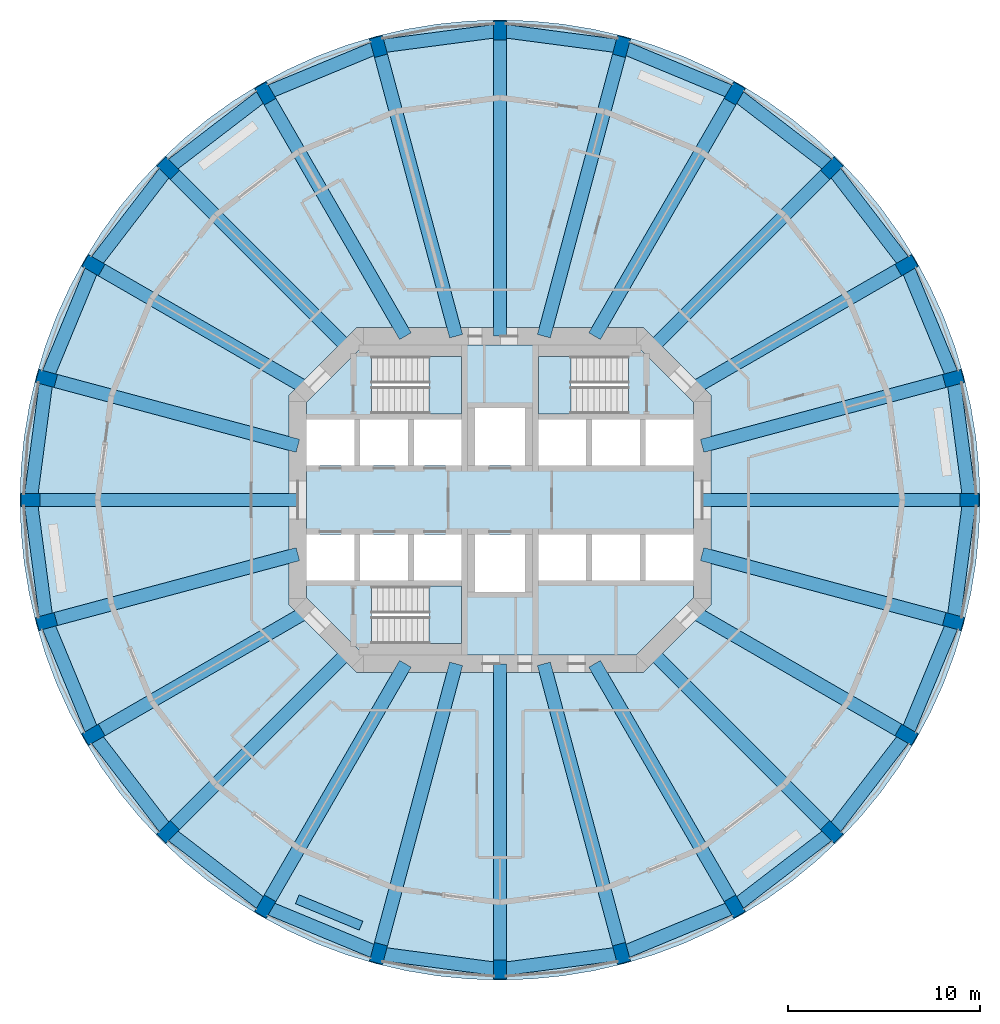
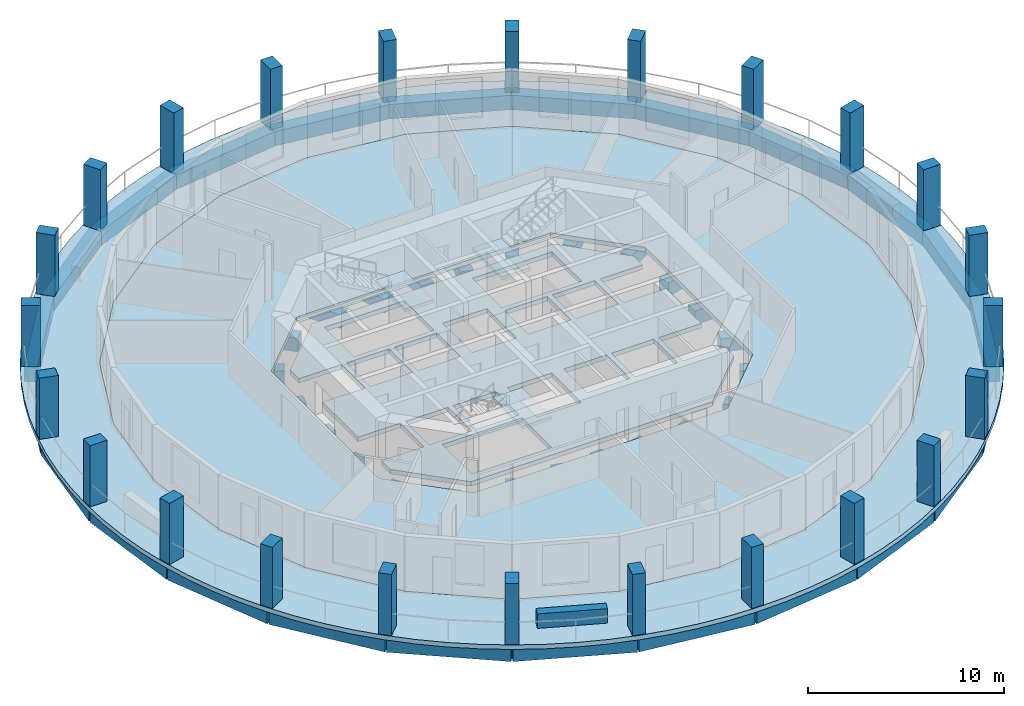
# One storey, part 1 of 8: 48 beams, 24 columns, 6 slabs, 1 wall, 3 elements without a shape of their own.
"""IFC4 building model written with IfcOpenShell, lengths in metres."""

from ifc_helpers import new_model, si_unit, direction, frame, frame_2d, origin, origin_2d, place, context, subcontext, project, spatial, polyline, rectangle, outline, extrude, material, layer, layer_set, material_profile, profile_set, type_object, element, aggregate, save


model = new_model("IFC4")

# Units and contexts
model_context = context("Model", 3, precision=1e-05, world=origin(), true_north=direction((0.0, 1.0)))
body_context = subcontext(model_context, "Body", "Model", "MODEL_VIEW")
ifc_project = project(units=[si_unit("LENGTHUNIT", "METRE"), si_unit("AREAUNIT", "SQUARE_METRE"), si_unit("VOLUMEUNIT", "CUBIC_METRE"), si_unit("PLANEANGLEUNIT", "RADIAN"), si_unit("MASSUNIT", "GRAM", prefix="KILO")], contexts=[model_context])

# Site, building, storey
site_placement = place(None, origin())
site = spatial("IfcSite", under=ifc_project, at=site_placement, CompositionType="ELEMENT")
building_placement = place(site_placement, origin())
building = spatial("IfcBuilding", under=site, at=building_placement, Name="Torre Triforio", CompositionType="ELEMENT")
storey_placement = place(building_placement, frame((0.0, 0.0, 131.39990234375)))
storey = spatial("IfcBuildingStorey", under=building, at=storey_placement, Name="L29", CompositionType="ELEMENT", Elevation=131.39990234375)

# Columns
ifc_material_1 = material(Name="Concrete C60", Category="concrete")
ifc_material_profile_1 = material_profile(ifc_material_1, rectangle(XDim=0.699951171875, YDim=1.0, at=origin_2d()), Name="RC 700x1000")
ifc_profile_set_1 = profile_set([ifc_material_profile_1], Name="Concrete C60")
column_type = type_object("IfcColumnType", Name="Pier RC 700x1000 C60", PredefinedType="COLUMN", material=ifc_profile_set_1)
for number, where, z_axis, x_axis, name in (
    (1, (24.5, 0.0, 0.0), (0.0, 0.0, 1.0), (0.0, 1.0, 0.0), "COL.R.L29.00"),
    (2, (23.665283203125, 6.341064453125, 0.0), (0.0, 0.0, 1.0), (-0.258819045103, 0.965925826289, 0.0), "COL.R.L29.01"),
    (3, (21.217529296875, 12.25, 0.0), (0.0, 0.0, 1.0), (-0.5, 0.866025403784, 0.0), "COL.R.L29.02"),
    (4, (17.32421875, 17.32421875, 0.0), (0.0, 0.0, 1.0), (-0.707106781187, 0.707106781187, 0.0), "COL.R.L29.03"),
    (5, (12.25, 21.217529296875, 0.0), (0.0, 0.0, 1.0), (-0.866025403784, 0.5, 0.0), "COL.R.L29.04"),
    (6, (6.341064453125, 23.665283203125, 0.0), (0.0, 0.0, 1.0), (-0.965925826289, 0.258819045103, 0.0), "COL.R.L29.05"),
    (7, (0.0, 24.5, 0.0), (0.0, 0.0, 1.0), (-1.0, 0.0, 0.0), "COL.R.L29.06"),
    (8, (-6.341064453125, 23.665283203125, 0.0), (0.0, 0.0, 1.0), (-0.965925826289, -0.258819045103, 0.0), "COL.R.L29.07"),
    (9, (-12.25, 21.217529296875, 0.0), (0.0, 0.0, 1.0), (-0.866025403784, -0.5, 0.0), "COL.R.L29.08"),
    (10, (-17.32421875, 17.32421875, 0.0), (0.0, 0.0, 1.0), (-0.707106781187, -0.707106781187, 0.0), "COL.R.L29.09"),
    (11, (-21.217529296875, 12.25, 0.0), (0.0, 0.0, 1.0), (-0.5, -0.866025403784, 0.0), "COL.R.L29.10"),
    (12, (-23.665283203125, 6.341064453125, 0.0), (0.0, 0.0, 1.0), (-0.258819045103, -0.965925826289, 0.0), "COL.R.L29.11"),
    (13, (-24.5, 0.0, 0.0), (0.0, 0.0, 1.0), (0.0, -1.0, 0.0), "COL.R.L29.12"),
    (14, (-23.665283203125, -6.341064453125, 0.0), (0.0, 0.0, 1.0), (0.258819045103, -0.965925826289, 0.0), "COL.R.L29.13"),
    (15, (-21.217529296875, -12.25, 0.0), (0.0, 0.0, 1.0), (0.5, -0.866025403784, 0.0), "COL.R.L29.14"),
    (16, (-17.32421875, -17.32421875, 0.0), (0.0, 0.0, 1.0), (0.707106781187, -0.707106781187, 0.0), "COL.R.L29.15"),
    (17, (-12.25, -21.217529296875, 0.0), (0.0, 0.0, 1.0), (0.866025403784, -0.5, 0.0), "COL.R.L29.16"),
    (18, (-6.341064453125, -23.665283203125, 0.0), (0.0, 0.0, 1.0), (0.965925826289, -0.258819045103, 0.0), "COL.R.L29.17"),
    (19, (0.0, -24.5, 0.0), (0.0, 0.0, 1.0), (1.0, 0.0, 0.0), "COL.R.L29.18"),
    (20, (6.341064453125, -23.665283203125, 0.0), (0.0, 0.0, 1.0), (0.965925826289, 0.258819045103, 0.0), "COL.R.L29.19"),
    (21, (12.25, -21.217529296875, 0.0), (0.0, 0.0, 1.0), (0.866025403784, 0.5, 0.0), "COL.R.L29.20"),
    (22, (17.32421875, -17.32421875, 0.0), (0.0, 0.0, 1.0), (0.707106781187, 0.707106781187, 0.0), "COL.R.L29.21"),
    (23, (21.217529296875, -12.25, 0.0), (0.0, 0.0, 1.0), (0.5, 0.866025403784, 0.0), "COL.R.L29.22"),
    (24, (23.665283203125, -6.341064453125, 0.0), (0.0, 0.0, 1.0), (0.258819045103, 0.965925826289, 0.0), "COL.R.L29.23"),
):
    element("IfcColumn", number, at=place(storey_placement, frame(where, z_axis=z_axis, x_axis=x_axis)), inside=storey, type_object=column_type, Name=name, PredefinedType="COLUMN", context=body_context, shape_type="SweptSolid", body=[
        extrude(rectangle(XDim=0.699951171875, YDim=1.0, at=origin_2d()), origin(), (0.0, 0.0, 1.0), 3.800048828125),
    ])

# Beams
ifc_material_2 = material(Name="Concrete C50", Category="concrete")
ifc_material_profile_2 = material_profile(ifc_material_2, rectangle(XDim=0.699951171875, YDim=0.85009765625, at=origin_2d()), Name="RC 700x850")
ifc_profile_set_2 = profile_set([ifc_material_profile_2], Name="Concrete C50")
beam_type_1 = type_object("IfcBeamType", Name="Radial beam RC 700x850 C50", PredefinedType="BEAM", material=ifc_profile_set_2)
beam_1_placement = place(storey_placement, frame((10.550048828125, 0.0, -0.704833984375), z_axis=(1.0, 0.0, 0.0), x_axis=(0.0, 1.0, 0.0)))
element("IfcBeam", 25, at=beam_1_placement, inside=storey, type_object=beam_type_1, Name="BM.R.L29.00", PredefinedType="BEAM", context=body_context, shape_type="SweptSolid", body=[
    extrude(rectangle(XDim=0.699951171875, YDim=0.85009765625, at=origin_2d()), origin(), (0.0, 0.0, 1.0), 13.949951171875),
])
beam_2_placement = place(storey_placement, frame((10.550048828125, 2.826904296875, -0.704833984375), z_axis=(0.965926862951, 0.258815176197, 0.0), x_axis=(-0.258815176197, 0.965926862951, 0.0)))
element("IfcBeam", 26, at=beam_2_placement, inside=storey, type_object=beam_type_1, Name="BM.R.L29.01", PredefinedType="BEAM", context=body_context, shape_type="SweptSolid", body=[
    extrude(rectangle(XDim=0.699951171875, YDim=0.85009765625, at=origin_2d()), origin(), (0.0, 0.0, 1.0), 13.577880859375),
])
beam_3_placement = place(storey_placement, frame((10.039794921875, 5.796630859375, -0.704833984375), z_axis=(0.866028718729, 0.499994258303, 0.0), x_axis=(-0.499994258303, 0.866028718729, 0.0)))
element("IfcBeam", 27, at=beam_3_placement, inside=storey, type_object=beam_type_1, Name="BM.R.L29.02", PredefinedType="BEAM", context=body_context, shape_type="SweptSolid", body=[
    extrude(rectangle(XDim=0.699951171875, YDim=0.85009765625, at=origin_2d()), origin(), (0.0, 0.0, 1.0), 12.906982421875),
])
beam_4_placement = place(storey_placement, frame((7.918212890625, 7.918212890625, -0.704833984375), z_axis=(0.707106781187, 0.707106781187, 0.0), x_axis=(-0.707106781187, 0.707106781187, 0.0)))
element("IfcBeam", 28, at=beam_4_placement, inside=storey, type_object=beam_type_1, Name="BM.R.L29.03", PredefinedType="BEAM", context=body_context, shape_type="SweptSolid", body=[
    extrude(rectangle(XDim=0.699951171875, YDim=0.85009765625, at=origin_2d()), origin(), (0.0, 0.0, 1.0), 13.302001953125),
])
beam_5_placement = place(storey_placement, frame((4.936279296875, 8.550048828125, -0.704833984375), z_axis=(0.500007560092, 0.86602103892, 0.0), x_axis=(-0.86602103892, 0.500007560092, 0.0)))
element("IfcBeam", 29, at=beam_5_placement, inside=storey, type_object=beam_type_1, Name="BM.R.L29.04", PredefinedType="BEAM", context=body_context, shape_type="SweptSolid", body=[
    extrude(rectangle(XDim=0.699951171875, YDim=0.85009765625, at=origin_2d()), origin(), (0.0, 0.0, 1.0), 14.627197265625),
])
beam_6_placement = place(storey_placement, frame((2.291015625, 8.550048828125, -0.704833984375), z_axis=(0.258815108997, 0.965926880957, 0.0), x_axis=(-0.965926880957, 0.258815108997, 0.0)))
element("IfcBeam", 30, at=beam_6_placement, inside=storey, type_object=beam_type_1, Name="BM.R.L29.05", PredefinedType="BEAM", context=body_context, shape_type="SweptSolid", body=[
    extrude(rectangle(XDim=0.699951171875, YDim=0.85009765625, at=origin_2d()), origin(), (0.0, 0.0, 1.0), 15.6484375),
])
beam_7_placement = place(storey_placement, frame((0.0, 8.550048828125, -0.704833984375), z_axis=(0.0, 1.0, 0.0), x_axis=(-1.0, 0.0, 0.0)))
element("IfcBeam", 31, at=beam_7_placement, inside=storey, type_object=beam_type_1, Name="BM.R.L29.06", PredefinedType="BEAM", context=body_context, shape_type="SweptSolid", body=[
    extrude(rectangle(XDim=0.699951171875, YDim=0.85009765625, at=origin_2d()), origin(), (0.0, 0.0, 1.0), 15.949951171875),
])
beam_8_placement = place(storey_placement, frame((-2.291015625, 8.550048828125, -0.704833984375), z_axis=(-0.258815108997, 0.965926880957, 0.0), x_axis=(-0.965926880957, -0.258815108997, 0.0)))
element("IfcBeam", 32, at=beam_8_placement, inside=storey, type_object=beam_type_1, Name="BM.R.L29.07", PredefinedType="BEAM", context=body_context, shape_type="SweptSolid", body=[
    extrude(rectangle(XDim=0.699951171875, YDim=0.85009765625, at=origin_2d()), origin(), (0.0, 0.0, 1.0), 15.6484375),
])
beam_9_placement = place(storey_placement, frame((-4.936279296875, 8.550048828125, -0.704833984375), z_axis=(-0.500007560092, 0.86602103892, 0.0), x_axis=(-0.86602103892, -0.500007560092, 0.0)))
element("IfcBeam", 33, at=beam_9_placement, inside=storey, type_object=beam_type_1, Name="BM.R.L29.08", PredefinedType="BEAM", context=body_context, shape_type="SweptSolid", body=[
    extrude(rectangle(XDim=0.699951171875, YDim=0.85009765625, at=origin_2d()), origin(), (0.0, 0.0, 1.0), 14.627197265625),
])
beam_10_placement = place(storey_placement, frame((-7.918212890625, 7.918212890625, -0.704833984375), z_axis=(-0.707106781187, 0.707106781187, 0.0), x_axis=(-0.707106781187, -0.707106781187, 0.0)))
element("IfcBeam", 34, at=beam_10_placement, inside=storey, type_object=beam_type_1, Name="BM.R.L29.09", PredefinedType="BEAM", context=body_context, shape_type="SweptSolid", body=[
    extrude(rectangle(XDim=0.699951171875, YDim=0.85009765625, at=origin_2d()), origin(), (0.0, 0.0, 1.0), 13.302001953125),
])
beam_11_placement = place(storey_placement, frame((-10.039794921875, 5.796630859375, -0.704833984375), z_axis=(-0.866028718729, 0.499994258303, 0.0), x_axis=(-0.499994258303, -0.866028718729, 0.0)))
element("IfcBeam", 35, at=beam_11_placement, inside=storey, type_object=beam_type_1, Name="BM.R.L29.10", PredefinedType="BEAM", context=body_context, shape_type="SweptSolid", body=[
    extrude(rectangle(XDim=0.699951171875, YDim=0.85009765625, at=origin_2d()), origin(), (0.0, 0.0, 1.0), 12.906982421875),
])
beam_12_placement = place(storey_placement, frame((-10.550048828125, 2.826904296875, -0.704833984375), z_axis=(-0.965926862951, 0.258815176197, 0.0), x_axis=(-0.258815176197, -0.965926862951, 0.0)))
element("IfcBeam", 36, at=beam_12_placement, inside=storey, type_object=beam_type_1, Name="BM.R.L29.11", PredefinedType="BEAM", context=body_context, shape_type="SweptSolid", body=[
    extrude(rectangle(XDim=0.699951171875, YDim=0.85009765625, at=origin_2d()), origin(), (0.0, 0.0, 1.0), 13.577880859375),
])
beam_13_placement = place(storey_placement, frame((-10.550048828125, 0.0, -0.704833984375), z_axis=(-1.0, 0.0, 0.0), x_axis=(0.0, -1.0, 0.0)))
element("IfcBeam", 37, at=beam_13_placement, inside=storey, type_object=beam_type_1, Name="BM.R.L29.12", PredefinedType="BEAM", context=body_context, shape_type="SweptSolid", body=[
    extrude(rectangle(XDim=0.699951171875, YDim=0.85009765625, at=origin_2d()), origin(), (0.0, 0.0, 1.0), 13.949951171875),
])
beam_14_placement = place(storey_placement, frame((-10.550048828125, -2.826904296875, -0.704833984375), z_axis=(-0.965926862951, -0.258815176197, 0.0), x_axis=(0.258815176197, -0.965926862951, 0.0)))
element("IfcBeam", 38, at=beam_14_placement, inside=storey, type_object=beam_type_1, Name="BM.R.L29.13", PredefinedType="BEAM", context=body_context, shape_type="SweptSolid", body=[
    extrude(rectangle(XDim=0.699951171875, YDim=0.85009765625, at=origin_2d()), origin(), (0.0, 0.0, 1.0), 13.577880859375),
])
beam_15_placement = place(storey_placement, frame((-10.039794921875, -5.796630859375, -0.704833984375), z_axis=(-0.866028718729, -0.499994258303, 0.0), x_axis=(0.499994258303, -0.866028718729, 0.0)))
element("IfcBeam", 39, at=beam_15_placement, inside=storey, type_object=beam_type_1, Name="BM.R.L29.14", PredefinedType="BEAM", context=body_context, shape_type="SweptSolid", body=[
    extrude(rectangle(XDim=0.699951171875, YDim=0.85009765625, at=origin_2d()), origin(), (0.0, 0.0, 1.0), 12.906982421875),
])
beam_16_placement = place(storey_placement, frame((-7.918212890625, -7.918212890625, -0.704833984375), z_axis=(-0.707106781187, -0.707106781187, 0.0), x_axis=(0.707106781187, -0.707106781187, 0.0)))
element("IfcBeam", 40, at=beam_16_placement, inside=storey, type_object=beam_type_1, Name="BM.R.L29.15", PredefinedType="BEAM", context=body_context, shape_type="SweptSolid", body=[
    extrude(rectangle(XDim=0.699951171875, YDim=0.85009765625, at=origin_2d()), origin(), (0.0, 0.0, 1.0), 13.302001953125),
])
beam_17_placement = place(storey_placement, frame((-4.936279296875, -8.550048828125, -0.704833984375), z_axis=(-0.500007560092, -0.86602103892, 0.0), x_axis=(0.86602103892, -0.500007560092, 0.0)))
element("IfcBeam", 41, at=beam_17_placement, inside=storey, type_object=beam_type_1, Name="BM.R.L29.16", PredefinedType="BEAM", context=body_context, shape_type="SweptSolid", body=[
    extrude(rectangle(XDim=0.699951171875, YDim=0.85009765625, at=origin_2d()), origin(), (0.0, 0.0, 1.0), 14.627197265625),
])
beam_18_placement = place(storey_placement, frame((-2.291015625, -8.550048828125, -0.704833984375), z_axis=(-0.258815108997, -0.965926880957, 0.0), x_axis=(0.965926880957, -0.258815108997, 0.0)))
element("IfcBeam", 42, at=beam_18_placement, inside=storey, type_object=beam_type_1, Name="BM.R.L29.17", PredefinedType="BEAM", context=body_context, shape_type="SweptSolid", body=[
    extrude(rectangle(XDim=0.699951171875, YDim=0.85009765625, at=origin_2d()), origin(), (0.0, 0.0, 1.0), 15.6484375),
])
beam_19_placement = place(storey_placement, frame((0.0, -8.550048828125, -0.704833984375), z_axis=(0.0, -1.0, 0.0), x_axis=(1.0, 0.0, 0.0)))
element("IfcBeam", 43, at=beam_19_placement, inside=storey, type_object=beam_type_1, Name="BM.R.L29.18", PredefinedType="BEAM", context=body_context, shape_type="SweptSolid", body=[
    extrude(rectangle(XDim=0.699951171875, YDim=0.85009765625, at=origin_2d()), origin(), (0.0, 0.0, 1.0), 15.949951171875),
])
beam_20_placement = place(storey_placement, frame((2.291015625, -8.550048828125, -0.704833984375), z_axis=(0.258815108997, -0.965926880957, 0.0), x_axis=(0.965926880957, 0.258815108997, 0.0)))
element("IfcBeam", 44, at=beam_20_placement, inside=storey, type_object=beam_type_1, Name="BM.R.L29.19", PredefinedType="BEAM", context=body_context, shape_type="SweptSolid", body=[
    extrude(rectangle(XDim=0.699951171875, YDim=0.85009765625, at=origin_2d()), origin(), (0.0, 0.0, 1.0), 15.6484375),
])
beam_21_placement = place(storey_placement, frame((4.936279296875, -8.550048828125, -0.704833984375), z_axis=(0.500007560092, -0.86602103892, 0.0), x_axis=(0.86602103892, 0.500007560092, 0.0)))
element("IfcBeam", 45, at=beam_21_placement, inside=storey, type_object=beam_type_1, Name="BM.R.L29.20", PredefinedType="BEAM", context=body_context, shape_type="SweptSolid", body=[
    extrude(rectangle(XDim=0.699951171875, YDim=0.85009765625, at=origin_2d()), origin(), (0.0, 0.0, 1.0), 14.627197265625),
])
beam_22_placement = place(storey_placement, frame((7.918212890625, -7.918212890625, -0.704833984375), z_axis=(0.707106781187, -0.707106781187, 0.0), x_axis=(0.707106781187, 0.707106781187, 0.0)))
element("IfcBeam", 46, at=beam_22_placement, inside=storey, type_object=beam_type_1, Name="BM.R.L29.21", PredefinedType="BEAM", context=body_context, shape_type="SweptSolid", body=[
    extrude(rectangle(XDim=0.699951171875, YDim=0.85009765625, at=origin_2d()), origin(), (0.0, 0.0, 1.0), 13.302001953125),
])
beam_23_placement = place(storey_placement, frame((10.039794921875, -5.796630859375, -0.704833984375), z_axis=(0.866028718729, -0.499994258303, 0.0), x_axis=(0.499994258303, 0.866028718729, 0.0)))
element("IfcBeam", 47, at=beam_23_placement, inside=storey, type_object=beam_type_1, Name="BM.R.L29.22", PredefinedType="BEAM", context=body_context, shape_type="SweptSolid", body=[
    extrude(rectangle(XDim=0.699951171875, YDim=0.85009765625, at=origin_2d()), origin(), (0.0, 0.0, 1.0), 12.906982421875),
])
beam_24_placement = place(storey_placement, frame((10.550048828125, -2.826904296875, -0.704833984375), z_axis=(0.965926862951, -0.258815176197, 0.0), x_axis=(0.258815176197, 0.965926862951, 0.0)))
element("IfcBeam", 48, at=beam_24_placement, inside=storey, type_object=beam_type_1, Name="BM.R.L29.23", PredefinedType="BEAM", context=body_context, shape_type="SweptSolid", body=[
    extrude(rectangle(XDim=0.699951171875, YDim=0.85009765625, at=origin_2d()), origin(), (0.0, 0.0, 1.0), 13.577880859375),
])
ifc_material_profile_3 = material_profile(ifc_material_2, rectangle(XDim=0.699951171875, YDim=0.89990234375, at=origin_2d()), Name="RC 700x900")
ifc_profile_set_3 = profile_set([ifc_material_profile_3], Name="Concrete C50")
beam_type_2 = type_object("IfcBeamType", Name="Spandrel beam RC 700x900 C50", PredefinedType="SPANDREL", material=ifc_profile_set_3)
for number, where, z_axis, x_axis, name in (
    (49, (24.5, 0.0, -0.72998046875), (-0.130510796237, 0.991446888172, 0.0), (-0.991446888172, -0.130510796237, 0.0), "BM.S.L29.00"),
    (50, (23.665283203125, 6.341064453125, -0.72998046875), (-0.382709143949, 0.923868882006, 0.0), (-0.923868882006, -0.382709143949, 0.0), "BM.S.L29.01"),
    (51, (21.217529296875, 12.25, -0.72998046875), (-0.60873442055, 0.79337406388, 0.0), (-0.79337406388, -0.60873442055, 0.0), "BM.S.L29.02"),
    (52, (17.32421875, 17.32421875, -0.72998046875), (-0.79337406388, 0.60873442055, 0.0), (-0.60873442055, -0.79337406388, 0.0), "BM.S.L29.03"),
    (53, (12.25, 21.217529296875, -0.72998046875), (-0.923868882006, 0.382709143949, 0.0), (-0.382709143949, -0.923868882006, 0.0), "BM.S.L29.04"),
    (54, (6.341064453125, 23.665283203125, -0.72998046875), (-0.991446888172, 0.130510796237, 0.0), (-0.130510796237, -0.991446888172, 0.0), "BM.S.L29.05"),
    (55, (0.0, 24.5, -0.72998046875), (-0.991446888172, -0.130510796237, 0.0), (0.130510796237, -0.991446888172, 0.0), "BM.S.L29.06"),
    (56, (-6.341064453125, 23.665283203125, -0.72998046875), (-0.923868882006, -0.382709143949, 0.0), (0.382709143949, -0.923868882006, 0.0), "BM.S.L29.07"),
    (57, (-12.25, 21.217529296875, -0.72998046875), (-0.79337406388, -0.60873442055, 0.0), (0.60873442055, -0.79337406388, 0.0), "BM.S.L29.08"),
    (58, (-17.32421875, 17.32421875, -0.72998046875), (-0.60873442055, -0.79337406388, 0.0), (0.79337406388, -0.60873442055, 0.0), "BM.S.L29.09"),
    (59, (-21.217529296875, 12.25, -0.72998046875), (-0.382709143949, -0.923868882006, 0.0), (0.923868882006, -0.382709143949, 0.0), "BM.S.L29.10"),
    (60, (-23.665283203125, 6.341064453125, -0.72998046875), (-0.130510796237, -0.991446888172, 0.0), (0.991446888172, -0.130510796237, 0.0), "BM.S.L29.11"),
    (61, (-24.5, 0.0, -0.72998046875), (0.130510796237, -0.991446888172, 0.0), (0.991446888172, 0.130510796237, 0.0), "BM.S.L29.12"),
    (62, (-23.665283203125, -6.341064453125, -0.72998046875), (0.382709143949, -0.923868882006, 0.0), (0.923868882006, 0.382709143949, 0.0), "BM.S.L29.13"),
    (63, (-21.217529296875, -12.25, -0.72998046875), (0.60873442055, -0.79337406388, 0.0), (0.79337406388, 0.60873442055, 0.0), "BM.S.L29.14"),
    (64, (-17.32421875, -17.32421875, -0.72998046875), (0.79337406388, -0.60873442055, 0.0), (0.60873442055, 0.79337406388, 0.0), "BM.S.L29.15"),
    (65, (-12.25, -21.217529296875, -0.72998046875), (0.923868882006, -0.382709143949, 0.0), (0.382709143949, 0.923868882006, 0.0), "BM.S.L29.16"),
    (66, (-6.341064453125, -23.665283203125, -0.72998046875), (0.991446888172, -0.130510796237, 0.0), (0.130510796237, 0.991446888172, 0.0), "BM.S.L29.17"),
    (67, (0.0, -24.5, -0.72998046875), (0.991446888172, 0.130510796237, 0.0), (-0.130510796237, 0.991446888172, 0.0), "BM.S.L29.18"),
    (68, (6.341064453125, -23.665283203125, -0.72998046875), (0.923868882006, 0.382709143949, 0.0), (-0.382709143949, 0.923868882006, 0.0), "BM.S.L29.19"),
    (69, (12.25, -21.217529296875, -0.72998046875), (0.79337406388, 0.60873442055, 0.0), (-0.60873442055, 0.79337406388, 0.0), "BM.S.L29.20"),
    (70, (17.32421875, -17.32421875, -0.72998046875), (0.60873442055, 0.79337406388, 0.0), (-0.79337406388, 0.60873442055, 0.0), "BM.S.L29.21"),
    (71, (21.217529296875, -12.25, -0.72998046875), (0.382709143949, 0.923868882006, 0.0), (-0.923868882006, 0.382709143949, 0.0), "BM.S.L29.22"),
    (72, (23.665283203125, -6.341064453125, -0.72998046875), (0.130510796237, 0.991446888172, 0.0), (-0.991446888172, 0.130510796237, 0.0), "BM.S.L29.23"),
):
    element("IfcBeam", number, at=place(storey_placement, frame(where, z_axis=z_axis, x_axis=x_axis)), inside=storey, type_object=beam_type_2, Name=name, PredefinedType="SPANDREL", context=body_context, shape_type="SweptSolid", body=[
        extrude(rectangle(XDim=0.699951171875, YDim=0.89990234375, at=origin_2d()), origin(), (0.0, 0.0, 1.0), 6.395751953125),
    ])

# Slabs
ifc_layer_1 = layer(ifc_material_1, 0.280029296875)
ifc_layer_set_1 = layer_set([ifc_layer_1], Name="Concrete C60")
slab_type_1 = type_object("IfcSlabType", Name="Core floor slab 280 mm C60 REI 120", PredefinedType="FLOOR", material=ifc_layer_set_1)
slab_1_placement = place(storey_placement, frame((0.0, 0.0, -0.27978515625)))
element("IfcSlab", 73, at=slab_1_placement, inside=storey, type_object=slab_type_1, Name="Core floor slab", PredefinedType="FLOOR", context=body_context, shape_type="SweptSolid", body=[
    extrude(outline(polyline([(10.10009765625, -5.10009765625), (7.10009765625, -8.10009765625), (-7.10009765625, -8.10009765625), (-10.10009765625, -5.10009765625), (-10.10009765625, -4.199951171875), (-7.60009765625, -4.199951171875), (-7.60009765625, -1.800048828125), (-10.10009765625, -1.800048828125), (-10.10009765625, 1.800048828125), (-7.60009765625, 1.800048828125), (-7.60009765625, 4.199951171875), (-10.10009765625, 4.199951171875), (-10.10009765625, 5.10009765625), (-7.10009765625, 8.10009765625), (7.10009765625, 8.10009765625), (10.10009765625, 5.10009765625), (10.10009765625, 4.199951171875), (7.60009765625, 4.199951171875), (7.60009765625, 1.800048828125), (10.10009765625, 1.800048828125), (10.10009765625, -1.800048828125), (7.60009765625, -1.800048828125), (7.60009765625, -4.199951171875), (10.10009765625, -4.199951171875), (10.10009765625, -5.10009765625)]), holes=[polyline([(-2.0, -4.5), (-6.696044921875, -4.5), (-6.696044921875, -7.5), (-2.0, -7.5), (-2.0, -4.5)]), polyline([(-4.800048828125, -1.800048828125), (-7.300048828125, -1.800048828125), (-7.300048828125, -4.199951171875), (-4.800048828125, -4.199951171875), (-4.800048828125, -1.800048828125)]), polyline([(-2.0, -1.800048828125), (-4.5, -1.800048828125), (-4.5, -4.199951171875), (-2.0, -4.199951171875), (-2.0, -1.800048828125)]), polyline([(-4.800048828125, 4.199951171875), (-7.300048828125, 4.199951171875), (-7.300048828125, 1.800048828125), (-4.800048828125, 1.800048828125), (-4.800048828125, 4.199951171875)]), polyline([(-2.0, 4.199951171875), (-4.5, 4.199951171875), (-4.5, 1.800048828125), (-2.0, 1.800048828125), (-2.0, 4.199951171875)]), polyline([(1.300048828125, 4.800048828125), (-1.300048828125, 4.800048828125), (-1.300048828125, 1.800048828125), (1.300048828125, 1.800048828125), (1.300048828125, 4.800048828125)]), polyline([(-2.0, 7.5), (-6.696044921875, 7.5), (-6.696044921875, 4.5), (-2.0, 4.5), (-2.0, 7.5)]), polyline([(1.300048828125, -1.800048828125), (-1.300048828125, -1.800048828125), (-1.300048828125, -4.800048828125), (1.300048828125, -4.800048828125), (1.300048828125, -1.800048828125)]), polyline([(4.5, -1.800048828125), (2.0, -1.800048828125), (2.0, -4.199951171875), (4.5, -4.199951171875), (4.5, -1.800048828125)]), polyline([(7.300048828125, -1.800048828125), (4.800048828125, -1.800048828125), (4.800048828125, -4.199951171875), (7.300048828125, -4.199951171875), (7.300048828125, -1.800048828125)]), polyline([(4.5, 4.199951171875), (2.0, 4.199951171875), (2.0, 1.800048828125), (4.5, 1.800048828125), (4.5, 4.199951171875)]), polyline([(7.300048828125, 4.199951171875), (4.800048828125, 4.199951171875), (4.800048828125, 1.800048828125), (7.300048828125, 1.800048828125), (7.300048828125, 4.199951171875)]), polyline([(6.696044921875, 4.5), (6.696044921875, 7.5), (2.0, 7.5), (2.0, 4.5), (6.696044921875, 4.5)])]), origin(), (0.0, 0.0, 1.0), 0.27978515625),
])
ifc_layer_2 = layer(ifc_material_2, 0.280029296875)
ifc_layer_set_2 = layer_set([ifc_layer_2], Name="Concrete C50")
slab_type_2 = type_object("IfcSlabType", Name="Floor slab 280 C50", PredefinedType="FLOOR", material=ifc_layer_set_2)
slab_2_placement = place(storey_placement, frame((0.0, 0.0, -0.27978515625)))
element("IfcSlab", 74, at=slab_2_placement, inside=storey, type_object=slab_type_2, Name="SL.L29", PredefinedType="FLOOR", context=body_context, shape_type="SweptSolid", body=[
    extrude(outline(polyline([(18.1865234375, -10.5), (20.284423828125, -5.435302734375), (21.0, 0.0), (20.284423828125, 5.435302734375), (18.1865234375, 10.5), (14.84912109375, 14.84912109375), (10.5, 18.1865234375), (5.435302734375, 20.284423828125), (0.0, 21.0), (-5.435302734375, 20.284423828125), (-10.5, 18.1865234375), (-14.84912109375, 14.84912109375), (-18.1865234375, 10.5), (-20.284423828125, 5.435302734375), (-21.0, 0.0), (-20.284423828125, -5.435302734375), (-18.1865234375, -10.5), (-14.84912109375, -14.84912109375), (-10.5, -18.1865234375), (-5.435302734375, -20.284423828125), (0.0, -21.0), (5.435302734375, -20.284423828125), (10.5, -18.1865234375), (14.84912109375, -14.84912109375), (18.1865234375, -10.5)]), holes=[polyline([(11.0, 5.472900390625), (11.0, -5.472900390625), (7.472900390625, -9.0), (-7.472900390625, -9.0), (-11.0, -5.472900390625), (-11.0, 5.472900390625), (-7.472900390625, 9.0), (7.472900390625, 9.0), (11.0, 5.472900390625)])]), origin(), (0.0, 0.0, 1.0), 0.27978515625),
])
ifc_layer_3 = layer(ifc_material_2, 0.280029296875)
ifc_layer_set_3 = layer_set([ifc_layer_3], Name="Concrete C50")
slab_type_3 = type_object("IfcSlabType", Name="Loggia slab 280 C50", PredefinedType="FLOOR", material=ifc_layer_set_3)
slab_3_placement = place(storey_placement, frame((0.0, 0.0, -0.27978515625)))
element("IfcSlab", 75, at=slab_3_placement, inside=storey, type_object=slab_type_3, Name="SL.L29.LG", PredefinedType="FLOOR", context=body_context, shape_type="SweptSolid", body=[
    extrude(outline(polyline([(24.996337890625, -1.638427734375), (25.050048828125, 0.0), (24.996337890625, 1.638427734375), (24.835693359375, 3.269775390625), (24.568603515625, 4.886962890625), (24.196533203125, 6.4833984375), (23.720703125, 8.052001953125), (23.14306640625, 9.586181640625), (22.466552734375, 11.079345703125), (21.69384765625, 12.52490234375), (20.828369140625, 13.9169921875), (19.87353515625, 15.24951171875), (18.83349609375, 16.5166015625), (17.713134765625, 17.713134765625), (16.5166015625, 18.83349609375), (15.24951171875, 19.87353515625), (13.9169921875, 20.828369140625), (12.52490234375, 21.69384765625), (11.079345703125, 22.466552734375), (9.586181640625, 23.14306640625), (8.052001953125, 23.720703125), (6.4833984375, 24.196533203125), (4.886962890625, 24.568603515625), (3.269775390625, 24.835693359375), (1.638427734375, 24.996337890625), (0.0, 25.050048828125), (-1.638427734375, 24.996337890625), (-3.269775390625, 24.835693359375), (-4.886962890625, 24.568603515625), (-6.4833984375, 24.196533203125), (-8.052001953125, 23.720703125), (-9.586181640625, 23.14306640625), (-11.079345703125, 22.466552734375), (-12.52490234375, 21.69384765625), (-13.9169921875, 20.828369140625), (-15.24951171875, 19.87353515625), (-16.5166015625, 18.83349609375), (-17.713134765625, 17.713134765625), (-18.83349609375, 16.5166015625), (-19.87353515625, 15.24951171875), (-20.828369140625, 13.9169921875), (-21.69384765625, 12.52490234375), (-22.466552734375, 11.079345703125), (-23.14306640625, 9.586181640625), (-23.720703125, 8.052001953125), (-24.196533203125, 6.4833984375), (-24.568603515625, 4.886962890625), (-24.835693359375, 3.269775390625), (-24.996337890625, 1.638427734375), (-25.050048828125, 0.0), (-24.996337890625, -1.638427734375), (-24.835693359375, -3.269775390625), (-24.568603515625, -4.886962890625), (-24.196533203125, -6.4833984375), (-23.720703125, -8.052001953125), (-23.14306640625, -9.586181640625), (-22.466552734375, -11.079345703125), (-21.69384765625, -12.52490234375), (-20.828369140625, -13.9169921875), (-19.87353515625, -15.24951171875), (-18.83349609375, -16.5166015625), (-17.713134765625, -17.713134765625), (-16.5166015625, -18.83349609375), (-15.24951171875, -19.87353515625), (-13.9169921875, -20.828369140625), (-12.52490234375, -21.69384765625), (-11.079345703125, -22.466552734375), (-9.586181640625, -23.14306640625), (-8.052001953125, -23.720703125), (-6.4833984375, -24.196533203125), (-4.886962890625, -24.568603515625), (-3.269775390625, -24.835693359375), (-1.638427734375, -24.996337890625), (0.0, -25.050048828125), (1.638427734375, -24.996337890625), (3.269775390625, -24.835693359375), (4.886962890625, -24.568603515625), (6.4833984375, -24.196533203125), (8.052001953125, -23.720703125), (9.586181640625, -23.14306640625), (11.079345703125, -22.466552734375), (12.52490234375, -21.69384765625), (13.9169921875, -20.828369140625), (15.24951171875, -19.87353515625), (16.5166015625, -18.83349609375), (17.713134765625, -17.713134765625), (18.83349609375, -16.5166015625), (19.87353515625, -15.24951171875), (20.828369140625, -13.9169921875), (21.69384765625, -12.52490234375), (22.466552734375, -11.079345703125), (23.14306640625, -9.586181640625), (23.720703125, -8.052001953125), (24.196533203125, -6.4833984375), (24.568603515625, -4.886962890625), (24.835693359375, -3.269775390625), (24.996337890625, -1.638427734375)]), holes=[polyline([(20.284423828125, 5.435302734375), (21.0, 0.0), (20.284423828125, -5.435302734375), (18.1865234375, -10.5), (14.84912109375, -14.84912109375), (10.5, -18.1865234375), (5.435302734375, -20.284423828125), (0.0, -21.0), (-5.435302734375, -20.284423828125), (-10.5, -18.1865234375), (-14.84912109375, -14.84912109375), (-18.1865234375, -10.5), (-20.284423828125, -5.435302734375), (-21.0, 0.0), (-20.284423828125, 5.435302734375), (-18.1865234375, 10.5), (-14.84912109375, 14.84912109375), (-10.5, 18.1865234375), (-5.435302734375, 20.284423828125), (0.0, 21.0), (5.435302734375, 20.284423828125), (10.5, 18.1865234375), (14.84912109375, 14.84912109375), (18.1865234375, 10.5), (20.284423828125, 5.435302734375)])]), origin(), (0.0, 0.0, 1.0), 0.27978515625),
])

# Stair, slab
ifc_material_3 = material(Name="Concrete C40", Category="concrete")
stair_type = type_object("IfcStairType", Name="STAIR HALF-TURN", PredefinedType="HALF_TURN_STAIR", material=ifc_material_3)
stair_1_placement = place(storey_placement, origin())
stair_1 = element("IfcStair", 76, at=stair_1_placement, inside=storey, type_object=stair_type, Name="Exit stair 1", PredefinedType="HALF_TURN_STAIR")
ifc_layer_4 = layer(ifc_material_3, 0.199951171875)
ifc_layer_set_4 = layer_set([ifc_layer_4], Name="Concrete C40")
slab_type_4 = type_object("IfcSlabType", Name="STAIR LANDING 200", PredefinedType="LANDING", material=ifc_layer_set_4)
slab_4_placement = place(storey_placement, frame((0.0, 0.0, 1.7001953125)))
slab_4 = element("IfcSlab", 77, at=slab_4_placement, type_object=slab_type_4, Name="ST1 landing 1", PredefinedType="LANDING", context=body_context, shape_type="SweptSolid", body=[
    extrude(outline(polyline([(-2.0, 4.5), (-2.0, 7.5), (-3.699951171875, 7.5), (-3.699951171875, 4.5), (-2.0, 4.5)])), origin(), (0.0, 0.0, 1.0), 0.199951171875),
])
aggregate(stair_1, [slab_4])

stair_2_placement = place(storey_placement, origin())
stair_2 = element("IfcStair", 78, at=stair_2_placement, inside=storey, type_object=stair_type, Name="Exit stair 2", PredefinedType="HALF_TURN_STAIR")
slab_5_placement = place(storey_placement, frame((0.0, 0.0, 1.7001953125)))
slab_5 = element("IfcSlab", 79, at=slab_5_placement, type_object=slab_type_4, Name="ST2 landing 1", PredefinedType="LANDING", context=body_context, shape_type="SweptSolid", body=[
    extrude(outline(polyline([(3.699951171875, 4.5), (3.699951171875, 7.5), (2.0, 7.5), (2.0, 4.5), (3.699951171875, 4.5)])), origin(), (0.0, 0.0, 1.0), 0.199951171875),
])
aggregate(stair_2, [slab_5])

stair_3_placement = place(storey_placement, origin())
stair_3 = element("IfcStair", 80, at=stair_3_placement, inside=storey, type_object=stair_type, Name="Exit stair 3", PredefinedType="HALF_TURN_STAIR")
slab_6_placement = place(storey_placement, frame((0.0, 0.0, 1.7001953125)))
slab_6 = element("IfcSlab", 81, at=slab_6_placement, type_object=slab_type_4, Name="ST3 landing 1", PredefinedType="LANDING", context=body_context, shape_type="SweptSolid", body=[
    extrude(outline(polyline([(-2.0, -7.5), (-2.0, -4.5), (-3.699951171875, -4.5), (-3.699951171875, -7.5), (-2.0, -7.5)])), origin(), (0.0, 0.0, 1.0), 0.199951171875),
])
aggregate(stair_3, [slab_6])

# Wall
ifc_material_4 = material(Name="Limestone cladding", Category="masonry")
ifc_layer_5 = layer(ifc_material_4, 0.10009765625)
ifc_layer_6 = layer(ifc_material_3, 0.39990234375)
ifc_layer_set_5 = layer_set([ifc_layer_5, ifc_layer_6], Name="Limestone cladding / Concrete C40")
wall_type = type_object("IfcWallType", Name="Planter wall 500", PredefinedType="PARAPET", material=ifc_layer_set_5)
wall_placement = place(storey_placement, frame((-10.57958984375, -20.837646484375, 0.0), z_axis=(0.0, 0.0, 1.0), x_axis=(0.923909393783, -0.382611332921, 0.0)))
element("IfcWall", 82, at=wall_placement, inside=storey, type_object=wall_type, Name="Planter L29 bay 17", PredefinedType="PARAPET", context=body_context, shape_type="SweptSolid", body=[
    extrude(rectangle(XDim=3.60009765625, YDim=0.5, at=frame_2d((1.800048828125, 0.0))), origin(), (0.0, 0.0, 1.0), 0.900146484375),
])

save(model, "model.ifc")
